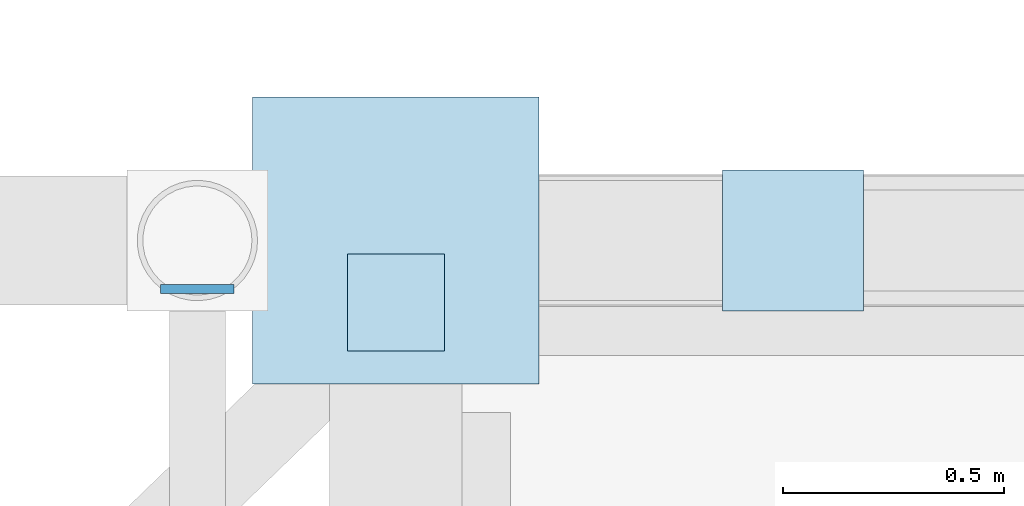
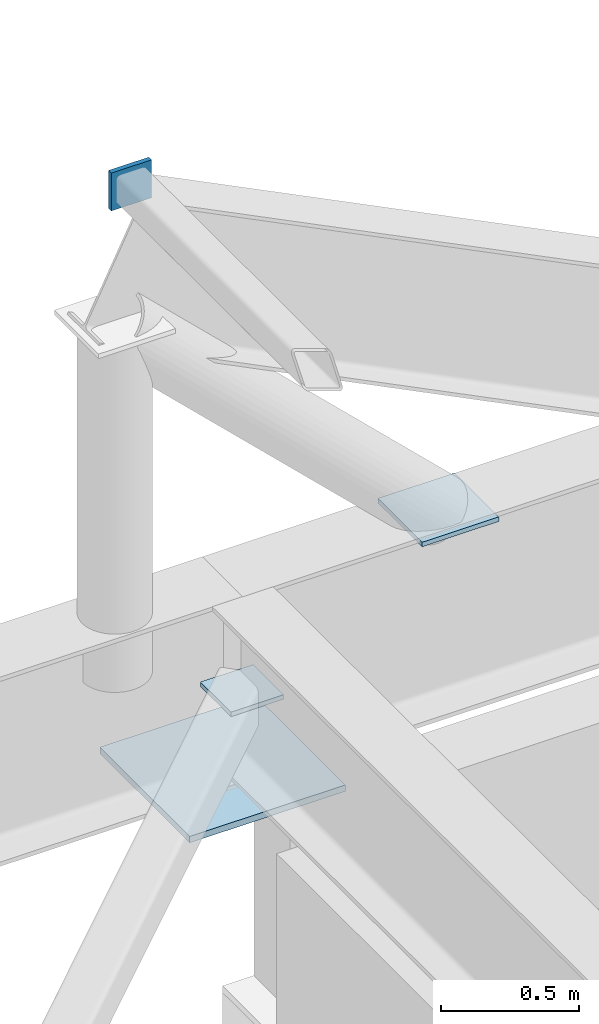
# One storey, part 34 of 41: 4 plates.
"""IFC4 building model written with IfcOpenShell, lengths in metres."""

from ifc_helpers import new_model, si_unit, direction, frame, origin, origin_2d, place, context, subcontext, project, spatial, rectangle, extrude, material, layer, layer_set, type_object, element, save


model = new_model("IFC4")

# Units and contexts
model_context = context("Model", 3, precision=1e-05, world=origin(), true_north=direction((0.0, 1.0)))
body_context = subcontext(model_context, "Body", "Model", "MODEL_VIEW")
ifc_project = project(units=[si_unit("LENGTHUNIT", "METRE"), si_unit("AREAUNIT", "SQUARE_METRE"), si_unit("VOLUMEUNIT", "CUBIC_METRE"), si_unit("PLANEANGLEUNIT", "RADIAN"), si_unit("MASSUNIT", "GRAM", prefix="KILO")], contexts=[model_context])

# Site, building, storey
site_placement = place(None, origin())
site = spatial("IfcSite", under=ifc_project, at=site_placement, CompositionType="ELEMENT")
building_placement = place(site_placement, origin())
building = spatial("IfcBuilding", under=site, at=building_placement, Name="Vireocrest Preparatory School", CompositionType="ELEMENT")
storey_placement = place(building_placement, frame((0.0, 0.0, 21.60009765625)))
storey = spatial("IfcBuildingStorey", under=building, at=storey_placement, Name="L05", CompositionType="ELEMENT", Elevation=21.60009765625)

# Plates
ifc_material = material(Name="Structural steel ASTM A572 Grade 50", Category="steel")
ifc_layer_1 = layer(ifc_material, 0.028076171875)
ifc_layer_set_1 = layer_set([ifc_layer_1], Name="Structural steel ASTM A572 Grade 50")
plate_type_1 = type_object("IfcPlateType", Name="Canopy Girder Upper Steel Node Plate 28", PredefinedType="SHEET", material=ifc_layer_set_1)
plate_1_placement = place(storey_placement, frame((92.39990234375, 85.800048828125, 0.9716796875), z_axis=(0.0, 0.0, 1.0), x_axis=(1.0, 0.0, 0.0)))
element("IfcPlate", 1, at=plate_1_placement, inside=storey, type_object=plate_type_1, Name="Node VN2 Canopy Girder Bearing Plate E8-A2", PredefinedType="SHEET", context=body_context, shape_type="SweptSolid", body=[
    extrude(rectangle(XDim=0.64990234375, YDim=0.64990234375, at=origin_2d()), origin(), (0.0, 0.0, 1.0), 0.028076171875),
])
ifc_layer_2 = layer(ifc_material, 0.02001953125)
ifc_layer_set_2 = layer_set([ifc_layer_2], Name="Structural steel ASTM A572 Grade 50")
plate_type_2 = type_object("IfcPlateType", Name="Hollow Section Steel End Cap Plate 20", PredefinedType="SHEET", material=ifc_layer_set_2)
plate_2_placement = place(storey_placement, frame((93.300048828125, 85.800048828125, 1.804931640625), z_axis=(0.0, 0.0, 1.0), x_axis=(1.0, 0.0, 0.0)))
element("IfcPlate", 2, at=plate_2_placement, inside=storey, type_object=plate_type_2, Name="Canopy Web Cap CP1-8-7B", PredefinedType="SHEET", context=body_context, shape_type="SweptSolid", body=[
    extrude(rectangle(XDim=0.320068359375, YDim=0.320068359375, at=origin_2d()), origin(), (0.0, 0.0, 1.0), 0.02001953125),
])
plate_3_placement = place(storey_placement, frame((91.949951171875, 85.68994140625, 3.70849609375), z_axis=(0.0, 0.0, 1.0), x_axis=(1.0, 0.0, 0.0)))
element("IfcPlate", 3, at=plate_3_placement, inside=storey, type_object=plate_type_2, Name="Canopy Purlin Cap CP1-7-8", PredefinedType="SHEET", context=body_context, shape_type="SweptSolid", body=[
    extrude(rectangle(XDim=0.1669921875, YDim=0.02001953125, at=origin_2d()), origin(), (0.0, 0.0, 1.0), 0.1669921875),
])
plate_4_placement = place(storey_placement, frame((92.39990234375, 85.659912109375, 1.407470703125), z_axis=(0.0, 0.0, 1.0), x_axis=(1.0, 0.0, 0.0)))
element("IfcPlate", 4, at=plate_4_placement, inside=storey, type_object=plate_type_2, Name="Canopy Brace Cap CP1-7-EB", PredefinedType="SHEET", context=body_context, shape_type="SweptSolid", body=[
    extrude(rectangle(XDim=0.219970703125, YDim=0.219970703125, at=origin_2d()), origin(), (0.0, 0.0, 1.0), 0.02001953125),
])

save(model, "model.ifc")
